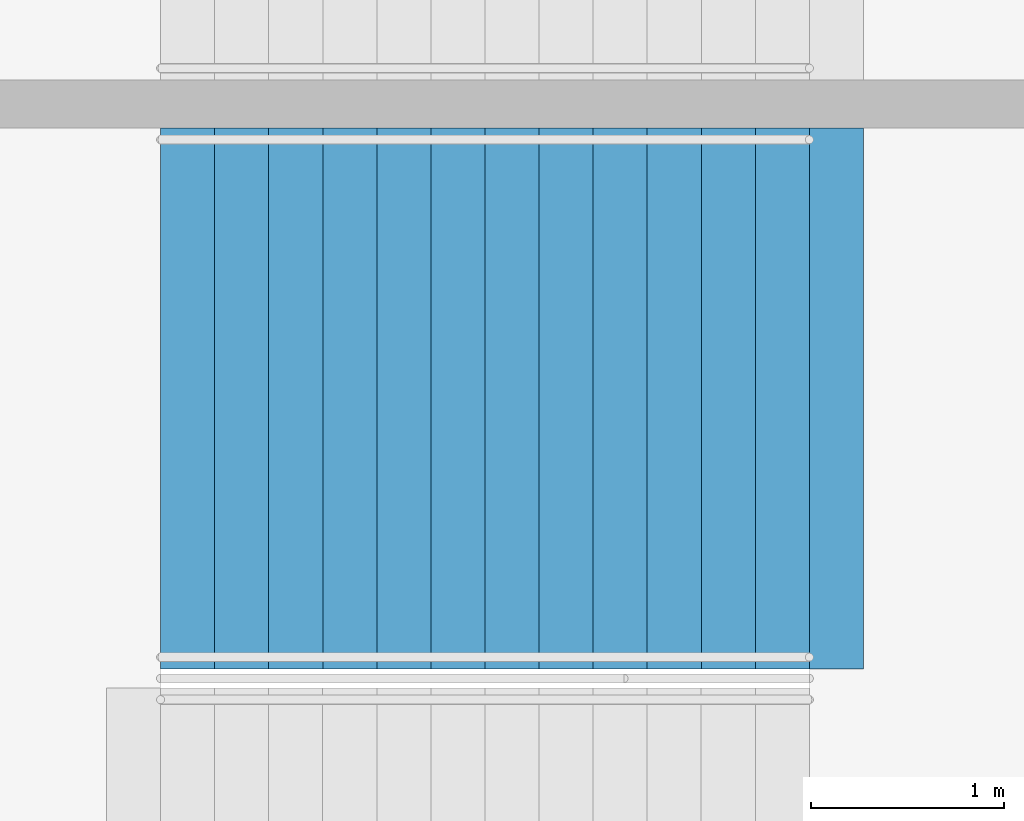
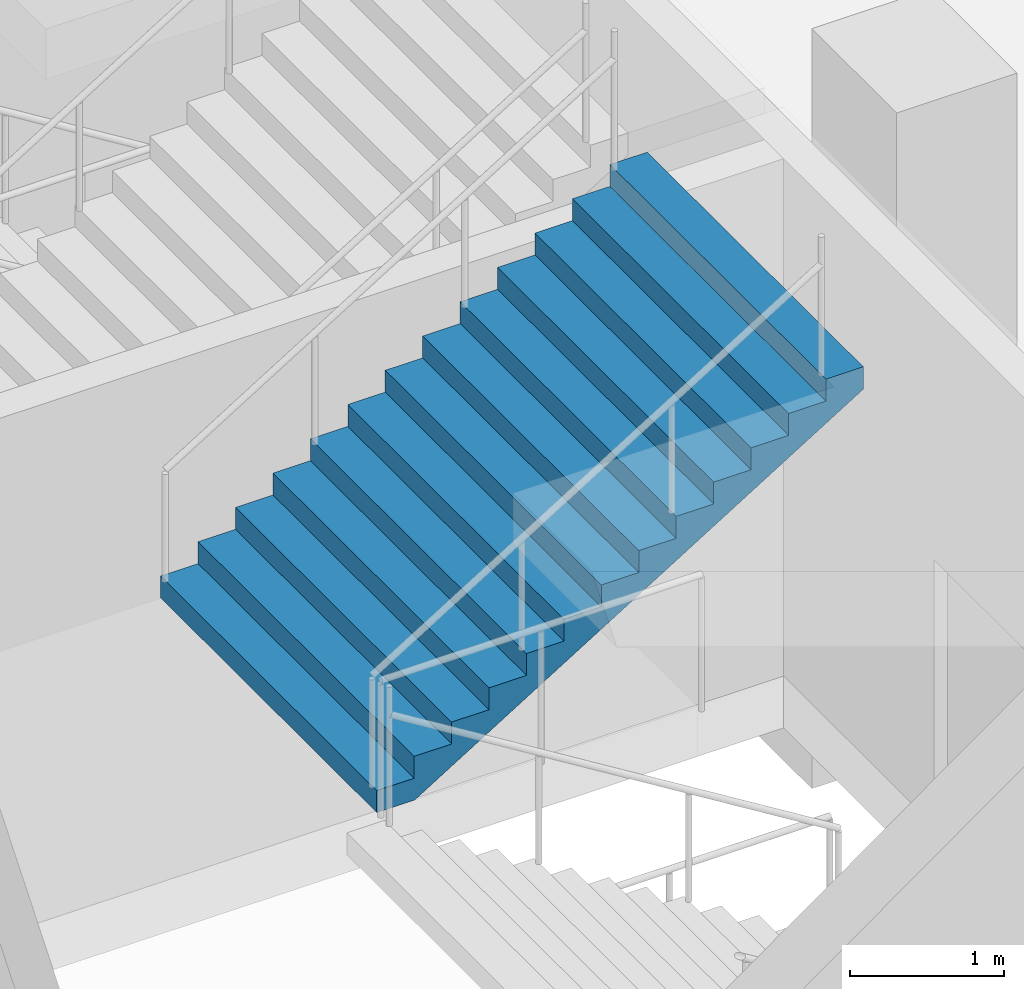
# One storey, part 84 of 175: 1 stair flight, 1 element without a shape of its own.
"""IFC4 building model written with IfcOpenShell, lengths in metres."""

import ifcopenshell
import ifcopenshell.guid

model = None  # the IFC model being written
_history = None  # IfcOwnerHistory: only IFC2X3 demands one
_inside = {}  # id of a spatial element -> (the spatial element, [elements in it])
_under = {}  # id of a project, library or spatial element -> (it, [spatial elements below it])
_declared = {}  # id of a project -> (the project, [libraries it declares])
_typed = {}  # id of a type object -> (the type object, [elements of that type])
_made_of = {}  # id of a material, layer set ... -> (it, [elements and type objects made of it])


def new_model(schema):
    """Start an empty IFC model of exactly this schema.

    Asked for "IFC4X3", IfcOpenShell would pick the latest addendum, in which some entities
    have other attributes; the version numbers below select the first issue.
    IFC2X3 requires an IfcOwnerHistory on every rooted entity: one is made here for all.
    """
    global model, _history
    if schema == "IFC4X3":
        model = ifcopenshell.file(schema_version=(4, 3, 0, 0))
    else:
        model = ifcopenshell.file(schema=schema)
    _inside.clear()
    _under.clear()
    _declared.clear()
    _typed.clear()
    _made_of.clear()
    _history = None
    if model.schema == "IFC2X3":
        org = make("IfcOrganization", Name="unknown")
        user = make(
            "IfcPersonAndOrganization",
            ThePerson=make("IfcPerson", FamilyName="unknown"),
            TheOrganization=org,
        )
        app = make(
            "IfcApplication",
            ApplicationDeveloper=org,
            Version="unknown",
            ApplicationFullName="unknown",
            ApplicationIdentifier="unknown",
        )
        _history = make(
            "IfcOwnerHistory",
            OwningUser=user,
            OwningApplication=app,
            ChangeAction="ADDED",
            CreationDate=0,
        )
    return model


def make(cls, **values):
    """One entity of the class cls with the attributes given. An attribute that is None is left unset."""
    return model.create_entity(
        cls, **{name: value for name, value in values.items() if value is not None}
    )


def rooted(cls, **values):
    """An entity with a GlobalId (a new one), such as an element, a storey or a relation."""
    return make(cls, GlobalId=ifcopenshell.guid.new(), OwnerHistory=_history, **values)


def si_unit(unit_type, name, prefix=None):
    """IfcSIUnit, for example si_unit("LENGTHUNIT", "METRE", prefix="MILLI")."""
    return make("IfcSIUnit", UnitType=unit_type, Prefix=prefix, Name=name)


def assignment(units):
    """IfcUnitAssignment: the units of a project."""
    return None if units is None else make("IfcUnitAssignment", Units=units)


def point(xyz):
    """IfcCartesianPoint."""
    return None if xyz is None else make("IfcCartesianPoint", Coordinates=xyz)


def direction(xyz):
    """IfcDirection."""
    return None if xyz is None else make("IfcDirection", DirectionRatios=xyz)


def frame(location, z_axis=None, x_axis=None):
    """IfcAxis2Placement3D, a coordinate frame: its origin and axes. An axis left out is left unset."""
    return make(
        "IfcAxis2Placement3D",
        Location=point(location),
        Axis=direction(z_axis),
        RefDirection=direction(x_axis),
    )


def origin():
    """The frame at (0, 0, 0) with its axes left unset."""
    return frame((0.0, 0.0, 0.0))


def place(relative_to, where):
    """IfcLocalPlacement: puts the frame where relative to a parent placement (None: the world)."""
    return make(
        "IfcLocalPlacement", PlacementRelTo=relative_to, RelativePlacement=where
    )


def context(
    kind, dimensions, precision=None, world=None, true_north=None, identifier=None
):
    """IfcGeometricRepresentationContext, for example the 3D "Model" context."""
    return make(
        "IfcGeometricRepresentationContext",
        ContextIdentifier=identifier,
        ContextType=kind,
        CoordinateSpaceDimension=dimensions,
        Precision=precision,
        WorldCoordinateSystem=world,
        TrueNorth=true_north,
    )


def subcontext(parent, identifier, kind, view, scale=None):
    """IfcGeometricRepresentationSubContext, for example "Body" below "Model"."""
    return make(
        "IfcGeometricRepresentationSubContext",
        ContextIdentifier=identifier,
        ContextType=kind,
        ParentContext=parent,
        TargetScale=scale,
        TargetView=view,
    )


def project(units=None, contexts=None):
    """IfcProject with its units and contexts."""
    return rooted(
        "IfcProject",
        Name="project",
        RepresentationContexts=contexts,
        UnitsInContext=assignment(units),
    )


def spatial(cls, under=None, at=None, **own):
    """A site, building, storey or space (cls), placed at a placement, below another one or the project."""
    s = rooted(cls, ObjectPlacement=at, **own)
    if under is not None:
        _under.setdefault(under.id(), (under, []))[1].append(s)
    return s


def faces_of(points, faces, orient=None, outer=None):
    """IfcFace entities. A face is a list of loops; a loop is a list of indices into points, from 0.

    orient and outer hold one flag for each loop. By default every Orientation is true, the
    first loop of a face is its IfcFaceOuterBound and the others are IfcFaceBound.
    """
    made = []
    for i, loops in enumerate(faces):
        bounds = []
        for j, loop in enumerate(loops):
            is_outer = j == 0 if outer is None else outer[i][j]
            bounds.append(
                make(
                    "IfcFaceOuterBound" if is_outer else "IfcFaceBound",
                    Bound=make("IfcPolyLoop", Polygon=[points[k] for k in loop]),
                    Orientation=True if orient is None else orient[i][j],
                )
            )
        made.append(make("IfcFace", Bounds=bounds))
    return made


def faceted_brep(points, faces, orient=None, outer=None, voids=None):
    """IfcFacetedBrep: a solid bounded by flat faces; with voids (closed shells), ...WithVoids."""
    shared = [point(p) for p in points]
    hull = make("IfcClosedShell", CfsFaces=faces_of(shared, faces, orient, outer))
    if voids is None:
        return make("IfcFacetedBrep", Outer=hull)
    return make(
        "IfcFacetedBrepWithVoids",
        Outer=hull,
        Voids=[
            make(cls, CfsFaces=faces_of(shared, fs, o, b)) for cls, fs, o, b in voids
        ],
    )


def shape(context_of_items, identifier, shape_type, items):
    """IfcShapeRepresentation: the items that make up one representation, for example the "Body"."""
    return make(
        "IfcShapeRepresentation",
        ContextOfItems=context_of_items,
        RepresentationIdentifier=identifier,
        RepresentationType=shape_type,
        Items=items,
    )


def material(Name=None, Category=None):
    """IfcMaterial."""
    return make("IfcMaterial", Name=Name, Category=Category)


def made_of(thing, what):
    """Note that an element or type object is made of a material, layer set ...; save() writes the relation."""
    if what is not None:
        _made_of.setdefault(what.id(), (what, []))[1].append(thing)
    return thing


def type_object(cls, material=None, **own):
    """A type object (cls), such as IfcWallType, which elements share."""
    return made_of(rooted(cls, **own), material)


def element(
    cls,
    number,
    at=None,
    inside=None,
    cuts=None,
    type_object=None,
    material=None,
    context=None,
    identifier="Body",
    shape_type=None,
    held_by="IfcProductDefinitionShape",
    body=None,
    shapes=None,
    **own,
):
    """One element of the class cls, such as IfcWall. Its Tag is "e" and its number.

    at: its placement. inside: the storey or other place that contains it. cuts: it is an
    opening in that element (IfcRelVoidsElement). A single representation is given by context,
    identifier, shape_type and body (its items); several are given by shapes. held_by: the class
    of the entity that holds the representations. save() writes the other relations.
    """
    e = rooted(cls, Tag="e%d" % number, ObjectPlacement=at, **own)
    if body is not None:
        shapes = [shape(context, identifier, shape_type, body)]
    if shapes is not None:
        e.Representation = make(held_by, Representations=shapes)
    if inside is not None:
        _inside.setdefault(inside.id(), (inside, []))[1].append(e)
    if cuts is not None:
        rooted(
            "IfcRelVoidsElement", RelatingBuildingElement=cuts, RelatedOpeningElement=e
        )
    if type_object is not None:
        _typed.setdefault(type_object.id(), (type_object, []))[1].append(e)
    return made_of(e, material)


def aggregate(whole, parts):
    """IfcRelAggregates: a whole, such as a stair, and the parts it consists of."""
    return rooted("IfcRelAggregates", RelatingObject=whole, RelatedObjects=parts)


def save(model, path):
    """Write the relations noted so far, then the file.

    IfcRelAggregates (storeys below a building ...), IfcRelContainedInSpatialStructure (elements
    in a storey), IfcRelDefinesByType, IfcRelAssociatesMaterial and IfcRelDeclares: one each for
    every whole, place, type object, material and project.
    """
    for whole, parts in _under.values():
        aggregate(whole, parts)
    for where, things in _inside.values():
        rooted(
            "IfcRelContainedInSpatialStructure",
            RelatedElements=things,
            RelatingStructure=where,
        )
    for kind, things in _typed.values():
        rooted("IfcRelDefinesByType", RelatedObjects=things, RelatingType=kind)
    for what, things in _made_of.values():
        rooted("IfcRelAssociatesMaterial", RelatedObjects=things, RelatingMaterial=what)
    for by, libraries in _declared.values():
        rooted("IfcRelDeclares", RelatingContext=by, RelatedDefinitions=libraries)
    model.write(path)


model = new_model("IFC4")

# Units and contexts
model_context = context("Model", 3, precision=1e-05, world=origin(), true_north=direction((0.0, 1.0)))
body_context = subcontext(model_context, "Body", "Model", "MODEL_VIEW")
ifc_project = project(units=[si_unit("LENGTHUNIT", "METRE"), si_unit("AREAUNIT", "SQUARE_METRE"), si_unit("VOLUMEUNIT", "CUBIC_METRE"), si_unit("PLANEANGLEUNIT", "RADIAN"), si_unit("MASSUNIT", "GRAM", prefix="KILO")], contexts=[model_context])

# Site, building, storey
site_placement = place(None, origin())
site = spatial("IfcSite", under=ifc_project, at=site_placement, CompositionType="ELEMENT")
building_placement = place(site_placement, origin())
building = spatial("IfcBuilding", under=site, at=building_placement, Name="Ogive Plaza Stadium", CompositionType="ELEMENT")
storey_placement = place(building_placement, origin())
storey = spatial("IfcBuildingStorey", under=building, at=storey_placement, Name="L00", CompositionType="ELEMENT", Elevation=0.0)

# Stair, stair flight
ifc_material_1 = material(Name="Concrete C40/50", Category="concrete")
stair_type = type_object("IfcStairType", Name="Exit stair", PredefinedType="STRAIGHT_RUN_STAIR", material=ifc_material_1)
stair_placement = place(storey_placement, origin())
stair = element("IfcStair", 1, at=stair_placement, inside=storey, type_object=stair_type, Name="Exit stair ST26B L00 to L01", PredefinedType="STRAIGHT_RUN_STAIR")
ifc_material_2 = material(Name="Concrete C40/50", Category="concrete")
stair_flight_type = type_object("IfcStairFlightType", Name="Exit stair flight", PredefinedType="STRAIGHT", material=ifc_material_2)
stair_flight_placement = place(storey_placement, frame((-79.7099609375, 20.97509765625, 2.25), z_axis=(0.0, 0.0, 1.0), x_axis=(1.0, 0.0, 0.0)))
stair_flight = element("IfcStairFlight", 2, at=stair_flight_placement, type_object=stair_flight_type, Name="ST26B flight 2", NumberOfRisers=13, NumberOfTreads=12, PredefinedType="STRAIGHT", RiserHeight=0.173076923, TreadLength=0.28, context=body_context, shape_type="Brep", body=[
    faceted_brep([(0.28515625, -1.39990234375, 0.0), (3.639892578125, -1.39990234375, 2.07373046875), (3.639892578125, -1.39990234375, 2.25), (3.360107421875, -1.39990234375, 2.25), (3.360107421875, -1.39990234375, 2.076904296875), (3.080078125, -1.39990234375, 2.076904296875), (3.080078125, -1.39990234375, 1.90380859375), (2.800048828125, -1.39990234375, 1.90380859375), (2.800048828125, -1.39990234375, 1.730712890625), (2.52001953125, -1.39990234375, 1.730712890625), (2.52001953125, -1.39990234375, 1.5576171875), (2.239990234375, -1.39990234375, 1.5576171875), (2.239990234375, -1.39990234375, 1.384521484375), (1.9599609375, -1.39990234375, 1.384521484375), (1.9599609375, -1.39990234375, 1.21142578125), (1.679931640625, -1.39990234375, 1.21142578125), (1.679931640625, -1.39990234375, 1.03857421875), (1.39990234375, -1.39990234375, 1.03857421875), (1.39990234375, -1.39990234375, 0.865478515625), (1.1201171875, -1.39990234375, 0.865478515625), (1.1201171875, -1.39990234375, 0.6923828125), (0.840087890625, -1.39990234375, 0.6923828125), (0.840087890625, -1.39990234375, 0.519287109375), (0.56005859375, -1.39990234375, 0.519287109375), (0.56005859375, -1.39990234375, 0.34619140625), (0.280029296875, -1.39990234375, 0.34619140625), (0.280029296875, -1.39990234375, 0.173095703125), (0.0, -1.39990234375, 0.173095703125), (0.0, -1.39990234375, 0.0), (0.0, 1.39990234375, 0.0), (0.0, 1.39990234375, 0.173095703125), (0.280029296875, 1.39990234375, 0.173095703125), (0.280029296875, 1.39990234375, 0.34619140625), (0.56005859375, 1.39990234375, 0.34619140625), (0.56005859375, 1.39990234375, 0.519287109375), (0.840087890625, 1.39990234375, 0.519287109375), (0.840087890625, 1.39990234375, 0.6923828125), (1.1201171875, 1.39990234375, 0.6923828125), (1.1201171875, 1.39990234375, 0.865478515625), (1.39990234375, 1.39990234375, 0.865478515625), (1.39990234375, 1.39990234375, 1.03857421875), (1.679931640625, 1.39990234375, 1.03857421875), (1.679931640625, 1.39990234375, 1.21142578125), (1.9599609375, 1.39990234375, 1.21142578125), (1.9599609375, 1.39990234375, 1.384521484375), (2.239990234375, 1.39990234375, 1.384521484375), (2.239990234375, 1.39990234375, 1.5576171875), (2.52001953125, 1.39990234375, 1.5576171875), (2.52001953125, 1.39990234375, 1.730712890625), (2.800048828125, 1.39990234375, 1.730712890625), (2.800048828125, 1.39990234375, 1.90380859375), (3.080078125, 1.39990234375, 1.90380859375), (3.080078125, 1.39990234375, 2.076904296875), (3.360107421875, 1.39990234375, 2.076904296875), (3.360107421875, 1.39990234375, 2.25), (3.639892578125, 1.39990234375, 2.25), (3.639892578125, 1.39990234375, 2.07373046875), (0.28515625, 1.39990234375, 0.0), (0.28515625, -1.0888671875, 0.0), (3.639892578125, -1.0888671875, 2.07373046875), (0.28515625, -0.77783203125, 0.0), (3.639892578125, -0.77783203125, 2.07373046875), (0.28515625, -0.466796875, 0.0), (3.639892578125, -0.466796875, 2.07373046875), (0.28515625, -0.155517578125, 0.0), (3.639892578125, -0.155517578125, 2.07373046875), (0.28515625, 0.155517578125, 0.0), (3.639892578125, 0.155517578125, 2.07373046875), (0.28515625, 0.466796875, 0.0), (3.639892578125, 0.466796875, 2.07373046875), (0.28515625, 0.77783203125, 0.0), (3.639892578125, 0.77783203125, 2.07373046875), (0.28515625, 1.0888671875, 0.0), (3.639892578125, 1.0888671875, 2.07373046875), (3.639892578125, -1.0888671875, 2.25), (3.639892578125, -0.77783203125, 2.25), (3.639892578125, -0.466796875, 2.25), (3.639892578125, -0.155517578125, 2.25), (3.639892578125, 0.155517578125, 2.25), (3.639892578125, 0.466796875, 2.25), (3.639892578125, 0.77783203125, 2.25), (3.639892578125, 1.0888671875, 2.25), (3.360107421875, -1.0888671875, 2.25), (3.360107421875, -0.77783203125, 2.25), (3.360107421875, -0.466796875, 2.25), (3.360107421875, -0.155517578125, 2.25), (3.360107421875, 0.155517578125, 2.25), (3.360107421875, 0.466796875, 2.25), (3.360107421875, 0.77783203125, 2.25), (3.360107421875, 1.0888671875, 2.25), (3.360107421875, -1.0888671875, 2.076904296875), (3.360107421875, -0.77783203125, 2.076904296875), (3.360107421875, -0.466796875, 2.076904296875), (3.360107421875, -0.155517578125, 2.076904296875), (3.360107421875, 0.155517578125, 2.076904296875), (3.360107421875, 0.466796875, 2.076904296875), (3.360107421875, 0.77783203125, 2.076904296875), (3.360107421875, 1.0888671875, 2.076904296875), (3.080078125, -1.0888671875, 2.076904296875), (3.080078125, -0.77783203125, 2.076904296875), (3.080078125, -0.466796875, 2.076904296875), (3.080078125, -0.155517578125, 2.076904296875), (3.080078125, 0.155517578125, 2.076904296875), (3.080078125, 0.466796875, 2.076904296875), (3.080078125, 0.77783203125, 2.076904296875), (3.080078125, 1.0888671875, 2.076904296875), (3.080078125, -1.0888671875, 1.90380859375), (3.080078125, -0.77783203125, 1.90380859375), (3.080078125, -0.466796875, 1.90380859375), (3.080078125, -0.155517578125, 1.90380859375), (3.080078125, 0.155517578125, 1.90380859375), (3.080078125, 0.466796875, 1.90380859375), (3.080078125, 0.77783203125, 1.90380859375), (3.080078125, 1.0888671875, 1.90380859375), (2.800048828125, -1.0888671875, 1.90380859375), (2.800048828125, -0.77783203125, 1.90380859375), (2.800048828125, -0.466796875, 1.90380859375), (2.800048828125, -0.155517578125, 1.90380859375), (2.800048828125, 0.155517578125, 1.90380859375), (2.800048828125, 0.466796875, 1.90380859375), (2.800048828125, 0.77783203125, 1.90380859375), (2.800048828125, 1.0888671875, 1.90380859375), (2.800048828125, -1.0888671875, 1.730712890625), (2.800048828125, -0.77783203125, 1.730712890625), (2.800048828125, -0.466796875, 1.730712890625), (2.800048828125, -0.155517578125, 1.730712890625), (2.800048828125, 0.155517578125, 1.730712890625), (2.800048828125, 0.466796875, 1.730712890625), (2.800048828125, 0.77783203125, 1.730712890625), (2.800048828125, 1.0888671875, 1.730712890625), (2.52001953125, -1.0888671875, 1.730712890625), (2.52001953125, -0.77783203125, 1.730712890625), (2.52001953125, -0.466796875, 1.730712890625), (2.52001953125, -0.155517578125, 1.730712890625), (2.52001953125, 0.155517578125, 1.730712890625), (2.52001953125, 0.466796875, 1.730712890625), (2.52001953125, 0.77783203125, 1.730712890625), (2.52001953125, 1.0888671875, 1.730712890625), (2.52001953125, -1.0888671875, 1.5576171875), (2.52001953125, -0.77783203125, 1.5576171875), (2.52001953125, -0.466796875, 1.5576171875), (2.52001953125, -0.155517578125, 1.5576171875), (2.52001953125, 0.155517578125, 1.5576171875), (2.52001953125, 0.466796875, 1.5576171875), (2.52001953125, 0.77783203125, 1.5576171875), (2.52001953125, 1.0888671875, 1.5576171875), (2.239990234375, -1.0888671875, 1.5576171875), (2.239990234375, -0.77783203125, 1.5576171875), (2.239990234375, -0.466796875, 1.5576171875), (2.239990234375, -0.155517578125, 1.5576171875), (2.239990234375, 0.155517578125, 1.5576171875), (2.239990234375, 0.466796875, 1.5576171875), (2.239990234375, 0.77783203125, 1.5576171875), (2.239990234375, 1.0888671875, 1.5576171875), (2.239990234375, -1.0888671875, 1.384521484375), (2.239990234375, -0.77783203125, 1.384521484375), (2.239990234375, -0.466796875, 1.384521484375), (2.239990234375, -0.155517578125, 1.384521484375), (2.239990234375, 0.155517578125, 1.384521484375), (2.239990234375, 0.466796875, 1.384521484375), (2.239990234375, 0.77783203125, 1.384521484375), (2.239990234375, 1.0888671875, 1.384521484375), (1.9599609375, -1.0888671875, 1.384521484375), (1.9599609375, -0.77783203125, 1.384521484375), (1.9599609375, -0.466796875, 1.384521484375), (1.9599609375, -0.155517578125, 1.384521484375), (1.9599609375, 0.155517578125, 1.384521484375), (1.9599609375, 0.466796875, 1.384521484375), (1.9599609375, 0.77783203125, 1.384521484375), (1.9599609375, 1.0888671875, 1.384521484375), (1.9599609375, -1.0888671875, 1.21142578125), (1.9599609375, -0.77783203125, 1.21142578125), (1.9599609375, -0.466796875, 1.21142578125), (1.9599609375, -0.155517578125, 1.21142578125), (1.9599609375, 0.155517578125, 1.21142578125), (1.9599609375, 0.466796875, 1.21142578125), (1.9599609375, 0.77783203125, 1.21142578125), (1.9599609375, 1.0888671875, 1.21142578125), (1.679931640625, -1.0888671875, 1.21142578125), (1.679931640625, -0.77783203125, 1.21142578125), (1.679931640625, -0.466796875, 1.21142578125), (1.679931640625, -0.155517578125, 1.21142578125), (1.679931640625, 0.155517578125, 1.21142578125), (1.679931640625, 0.466796875, 1.21142578125), (1.679931640625, 0.77783203125, 1.21142578125), (1.679931640625, 1.0888671875, 1.21142578125), (1.679931640625, -1.0888671875, 1.03857421875), (1.679931640625, -0.77783203125, 1.03857421875), (1.679931640625, -0.466796875, 1.03857421875), (1.679931640625, -0.155517578125, 1.03857421875), (1.679931640625, 0.155517578125, 1.03857421875), (1.679931640625, 0.466796875, 1.03857421875), (1.679931640625, 0.77783203125, 1.03857421875), (1.679931640625, 1.0888671875, 1.03857421875), (1.39990234375, -1.0888671875, 1.03857421875), (1.39990234375, -0.77783203125, 1.03857421875), (1.39990234375, -0.466796875, 1.03857421875), (1.39990234375, -0.155517578125, 1.03857421875), (1.39990234375, 0.155517578125, 1.03857421875), (1.39990234375, 0.466796875, 1.03857421875), (1.39990234375, 0.77783203125, 1.03857421875), (1.39990234375, 1.0888671875, 1.03857421875), (1.39990234375, -1.0888671875, 0.865478515625), (1.39990234375, -0.77783203125, 0.865478515625), (1.39990234375, -0.466796875, 0.865478515625), (1.39990234375, -0.155517578125, 0.865478515625), (1.39990234375, 0.155517578125, 0.865478515625), (1.39990234375, 0.466796875, 0.865478515625), (1.39990234375, 0.77783203125, 0.865478515625), (1.39990234375, 1.0888671875, 0.865478515625), (1.1201171875, -1.0888671875, 0.865478515625), (1.1201171875, -0.77783203125, 0.865478515625), (1.1201171875, -0.466796875, 0.865478515625), (1.1201171875, -0.155517578125, 0.865478515625), (1.1201171875, 0.155517578125, 0.865478515625), (1.1201171875, 0.466796875, 0.865478515625), (1.1201171875, 0.77783203125, 0.865478515625), (1.1201171875, 1.0888671875, 0.865478515625), (1.1201171875, -1.0888671875, 0.6923828125), (1.1201171875, -0.77783203125, 0.6923828125), (1.1201171875, -0.466796875, 0.6923828125), (1.1201171875, -0.155517578125, 0.6923828125), (1.1201171875, 0.155517578125, 0.6923828125), (1.1201171875, 0.466796875, 0.6923828125), (1.1201171875, 0.77783203125, 0.6923828125), (1.1201171875, 1.0888671875, 0.6923828125), (0.840087890625, -1.0888671875, 0.6923828125), (0.840087890625, -0.77783203125, 0.6923828125), (0.840087890625, -0.466796875, 0.6923828125), (0.840087890625, -0.155517578125, 0.6923828125), (0.840087890625, 0.155517578125, 0.6923828125), (0.840087890625, 0.466796875, 0.6923828125), (0.840087890625, 0.77783203125, 0.6923828125), (0.840087890625, 1.0888671875, 0.6923828125), (0.840087890625, -1.0888671875, 0.519287109375), (0.840087890625, -0.77783203125, 0.519287109375), (0.840087890625, -0.466796875, 0.519287109375), (0.840087890625, -0.155517578125, 0.519287109375), (0.840087890625, 0.155517578125, 0.519287109375), (0.840087890625, 0.466796875, 0.519287109375), (0.840087890625, 0.77783203125, 0.519287109375), (0.840087890625, 1.0888671875, 0.519287109375), (0.56005859375, -1.0888671875, 0.519287109375), (0.56005859375, -0.77783203125, 0.519287109375), (0.56005859375, -0.466796875, 0.519287109375), (0.56005859375, -0.155517578125, 0.519287109375), (0.56005859375, 0.155517578125, 0.519287109375), (0.56005859375, 0.466796875, 0.519287109375), (0.56005859375, 0.77783203125, 0.519287109375), (0.56005859375, 1.0888671875, 0.519287109375), (0.56005859375, -1.0888671875, 0.34619140625), (0.56005859375, -0.77783203125, 0.34619140625), (0.56005859375, -0.466796875, 0.34619140625), (0.56005859375, -0.155517578125, 0.34619140625), (0.56005859375, 0.155517578125, 0.34619140625), (0.56005859375, 0.466796875, 0.34619140625), (0.56005859375, 0.77783203125, 0.34619140625), (0.56005859375, 1.0888671875, 0.34619140625), (0.280029296875, -1.0888671875, 0.34619140625), (0.280029296875, -0.77783203125, 0.34619140625), (0.280029296875, -0.466796875, 0.34619140625), (0.280029296875, -0.155517578125, 0.34619140625), (0.280029296875, 0.155517578125, 0.34619140625), (0.280029296875, 0.466796875, 0.34619140625), (0.280029296875, 0.77783203125, 0.34619140625), (0.280029296875, 1.0888671875, 0.34619140625), (0.280029296875, -1.0888671875, 0.173095703125), (0.280029296875, -0.77783203125, 0.173095703125), (0.280029296875, -0.466796875, 0.173095703125), (0.280029296875, -0.155517578125, 0.173095703125), (0.280029296875, 0.155517578125, 0.173095703125), (0.280029296875, 0.466796875, 0.173095703125), (0.280029296875, 0.77783203125, 0.173095703125), (0.280029296875, 1.0888671875, 0.173095703125), (0.0, -1.0888671875, 0.173095703125), (0.0, -0.77783203125, 0.173095703125), (0.0, -0.466796875, 0.173095703125), (0.0, -0.155517578125, 0.173095703125), (0.0, 0.155517578125, 0.173095703125), (0.0, 0.466796875, 0.173095703125), (0.0, 0.77783203125, 0.173095703125), (0.0, 1.0888671875, 0.173095703125), (0.0, -1.0888671875, 0.0), (0.0, -0.77783203125, 0.0), (0.0, -0.466796875, 0.0), (0.0, -0.155517578125, 0.0), (0.0, 0.155517578125, 0.0), (0.0, 0.466796875, 0.0), (0.0, 0.77783203125, 0.0), (0.0, 1.0888671875, 0.0)], [[[0, 1, 2, 3, 4, 5, 6, 7, 8, 9, 10, 11, 12, 13, 14, 15, 16, 17, 18, 19, 20, 21, 22, 23, 24, 25, 26, 27, 28]], [[29, 30, 31, 32, 33, 34, 35, 36, 37, 38, 39, 40, 41, 42, 43, 44, 45, 46, 47, 48, 49, 50, 51, 52, 53, 54, 55, 56, 57]], [[0, 58, 59, 1]], [[58, 60, 61, 59]], [[60, 62, 63, 61]], [[62, 64, 65, 63]], [[64, 66, 67, 65]], [[66, 68, 69, 67]], [[68, 70, 71, 69]], [[70, 72, 73, 71]], [[72, 57, 56, 73]], [[1, 59, 74, 2]], [[59, 61, 75, 74]], [[61, 63, 76, 75]], [[63, 65, 77, 76]], [[65, 67, 78, 77]], [[67, 69, 79, 78]], [[69, 71, 80, 79]], [[71, 73, 81, 80]], [[73, 56, 55, 81]], [[2, 74, 82, 3]], [[74, 75, 83, 82]], [[75, 76, 84, 83]], [[76, 77, 85, 84]], [[77, 78, 86, 85]], [[78, 79, 87, 86]], [[79, 80, 88, 87]], [[80, 81, 89, 88]], [[81, 55, 54, 89]], [[3, 82, 90, 4]], [[82, 83, 91, 90]], [[83, 84, 92, 91]], [[84, 85, 93, 92]], [[85, 86, 94, 93]], [[86, 87, 95, 94]], [[87, 88, 96, 95]], [[88, 89, 97, 96]], [[89, 54, 53, 97]], [[4, 90, 98, 5]], [[90, 91, 99, 98]], [[91, 92, 100, 99]], [[92, 93, 101, 100]], [[93, 94, 102, 101]], [[94, 95, 103, 102]], [[95, 96, 104, 103]], [[96, 97, 105, 104]], [[97, 53, 52, 105]], [[5, 98, 106, 6]], [[98, 99, 107, 106]], [[99, 100, 108, 107]], [[100, 101, 109, 108]], [[101, 102, 110, 109]], [[102, 103, 111, 110]], [[103, 104, 112, 111]], [[104, 105, 113, 112]], [[105, 52, 51, 113]], [[6, 106, 114, 7]], [[106, 107, 115, 114]], [[107, 108, 116, 115]], [[108, 109, 117, 116]], [[109, 110, 118, 117]], [[110, 111, 119, 118]], [[111, 112, 120, 119]], [[112, 113, 121, 120]], [[113, 51, 50, 121]], [[7, 114, 122, 8]], [[114, 115, 123, 122]], [[115, 116, 124, 123]], [[116, 117, 125, 124]], [[117, 118, 126, 125]], [[118, 119, 127, 126]], [[119, 120, 128, 127]], [[120, 121, 129, 128]], [[121, 50, 49, 129]], [[8, 122, 130, 9]], [[122, 123, 131, 130]], [[123, 124, 132, 131]], [[124, 125, 133, 132]], [[125, 126, 134, 133]], [[126, 127, 135, 134]], [[127, 128, 136, 135]], [[128, 129, 137, 136]], [[129, 49, 48, 137]], [[9, 130, 138, 10]], [[130, 131, 139, 138]], [[131, 132, 140, 139]], [[132, 133, 141, 140]], [[133, 134, 142, 141]], [[134, 135, 143, 142]], [[135, 136, 144, 143]], [[136, 137, 145, 144]], [[137, 48, 47, 145]], [[10, 138, 146, 11]], [[138, 139, 147, 146]], [[139, 140, 148, 147]], [[140, 141, 149, 148]], [[141, 142, 150, 149]], [[142, 143, 151, 150]], [[143, 144, 152, 151]], [[144, 145, 153, 152]], [[145, 47, 46, 153]], [[11, 146, 154, 12]], [[146, 147, 155, 154]], [[147, 148, 156, 155]], [[148, 149, 157, 156]], [[149, 150, 158, 157]], [[150, 151, 159, 158]], [[151, 152, 160, 159]], [[152, 153, 161, 160]], [[153, 46, 45, 161]], [[12, 154, 162, 13]], [[154, 155, 163, 162]], [[155, 156, 164, 163]], [[156, 157, 165, 164]], [[157, 158, 166, 165]], [[158, 159, 167, 166]], [[159, 160, 168, 167]], [[160, 161, 169, 168]], [[161, 45, 44, 169]], [[13, 162, 170, 14]], [[162, 163, 171, 170]], [[163, 164, 172, 171]], [[164, 165, 173, 172]], [[165, 166, 174, 173]], [[166, 167, 175, 174]], [[167, 168, 176, 175]], [[168, 169, 177, 176]], [[169, 44, 43, 177]], [[14, 170, 178, 15]], [[170, 171, 179, 178]], [[171, 172, 180, 179]], [[172, 173, 181, 180]], [[173, 174, 182, 181]], [[174, 175, 183, 182]], [[175, 176, 184, 183]], [[176, 177, 185, 184]], [[177, 43, 42, 185]], [[15, 178, 186, 16]], [[178, 179, 187, 186]], [[179, 180, 188, 187]], [[180, 181, 189, 188]], [[181, 182, 190, 189]], [[182, 183, 191, 190]], [[183, 184, 192, 191]], [[184, 185, 193, 192]], [[185, 42, 41, 193]], [[16, 186, 194, 17]], [[186, 187, 195, 194]], [[187, 188, 196, 195]], [[188, 189, 197, 196]], [[189, 190, 198, 197]], [[190, 191, 199, 198]], [[191, 192, 200, 199]], [[192, 193, 201, 200]], [[193, 41, 40, 201]], [[17, 194, 202, 18]], [[194, 195, 203, 202]], [[195, 196, 204, 203]], [[196, 197, 205, 204]], [[197, 198, 206, 205]], [[198, 199, 207, 206]], [[199, 200, 208, 207]], [[200, 201, 209, 208]], [[201, 40, 39, 209]], [[18, 202, 210, 19]], [[202, 203, 211, 210]], [[203, 204, 212, 211]], [[204, 205, 213, 212]], [[205, 206, 214, 213]], [[206, 207, 215, 214]], [[207, 208, 216, 215]], [[208, 209, 217, 216]], [[209, 39, 38, 217]], [[19, 210, 218, 20]], [[210, 211, 219, 218]], [[211, 212, 220, 219]], [[212, 213, 221, 220]], [[213, 214, 222, 221]], [[214, 215, 223, 222]], [[215, 216, 224, 223]], [[216, 217, 225, 224]], [[217, 38, 37, 225]], [[20, 218, 226, 21]], [[218, 219, 227, 226]], [[219, 220, 228, 227]], [[220, 221, 229, 228]], [[221, 222, 230, 229]], [[222, 223, 231, 230]], [[223, 224, 232, 231]], [[224, 225, 233, 232]], [[225, 37, 36, 233]], [[21, 226, 234, 22]], [[226, 227, 235, 234]], [[227, 228, 236, 235]], [[228, 229, 237, 236]], [[229, 230, 238, 237]], [[230, 231, 239, 238]], [[231, 232, 240, 239]], [[232, 233, 241, 240]], [[233, 36, 35, 241]], [[22, 234, 242, 23]], [[234, 235, 243, 242]], [[235, 236, 244, 243]], [[236, 237, 245, 244]], [[237, 238, 246, 245]], [[238, 239, 247, 246]], [[239, 240, 248, 247]], [[240, 241, 249, 248]], [[241, 35, 34, 249]], [[23, 242, 250, 24]], [[242, 243, 251, 250]], [[243, 244, 252, 251]], [[244, 245, 253, 252]], [[245, 246, 254, 253]], [[246, 247, 255, 254]], [[247, 248, 256, 255]], [[248, 249, 257, 256]], [[249, 34, 33, 257]], [[24, 250, 258, 25]], [[250, 251, 259, 258]], [[251, 252, 260, 259]], [[252, 253, 261, 260]], [[253, 254, 262, 261]], [[254, 255, 263, 262]], [[255, 256, 264, 263]], [[256, 257, 265, 264]], [[257, 33, 32, 265]], [[25, 258, 266, 26]], [[258, 259, 267, 266]], [[259, 260, 268, 267]], [[260, 261, 269, 268]], [[261, 262, 270, 269]], [[262, 263, 271, 270]], [[263, 264, 272, 271]], [[264, 265, 273, 272]], [[265, 32, 31, 273]], [[26, 266, 274, 27]], [[266, 267, 275, 274]], [[267, 268, 276, 275]], [[268, 269, 277, 276]], [[269, 270, 278, 277]], [[270, 271, 279, 278]], [[271, 272, 280, 279]], [[272, 273, 281, 280]], [[273, 31, 30, 281]], [[27, 274, 282, 28]], [[274, 275, 283, 282]], [[275, 276, 284, 283]], [[276, 277, 285, 284]], [[277, 278, 286, 285]], [[278, 279, 287, 286]], [[279, 280, 288, 287]], [[280, 281, 289, 288]], [[281, 30, 29, 289]], [[28, 282, 58, 0]], [[282, 283, 60, 58]], [[283, 284, 62, 60]], [[284, 285, 64, 62]], [[285, 286, 66, 64]], [[286, 287, 68, 66]], [[287, 288, 70, 68]], [[288, 289, 72, 70]], [[289, 29, 57, 72]]]),
])
aggregate(stair, [stair_flight])

save(model, "model.ifc")
